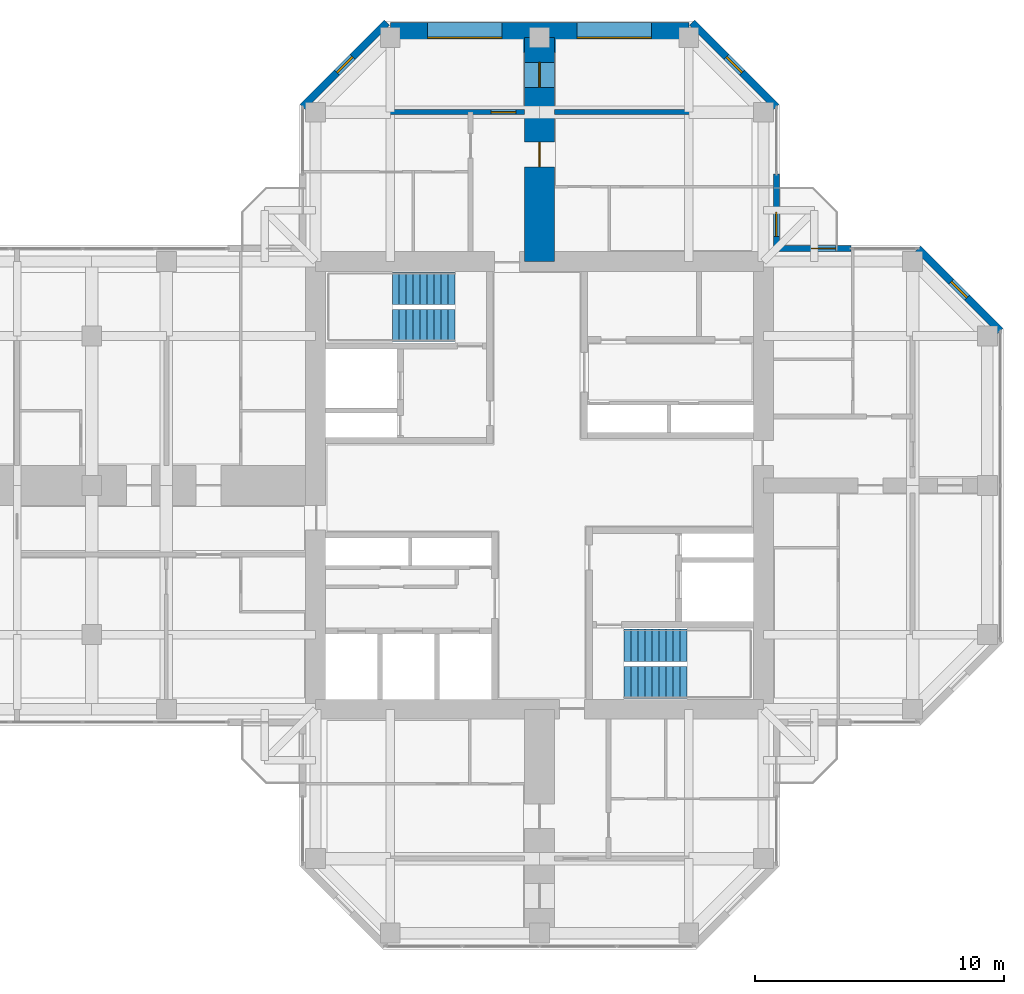
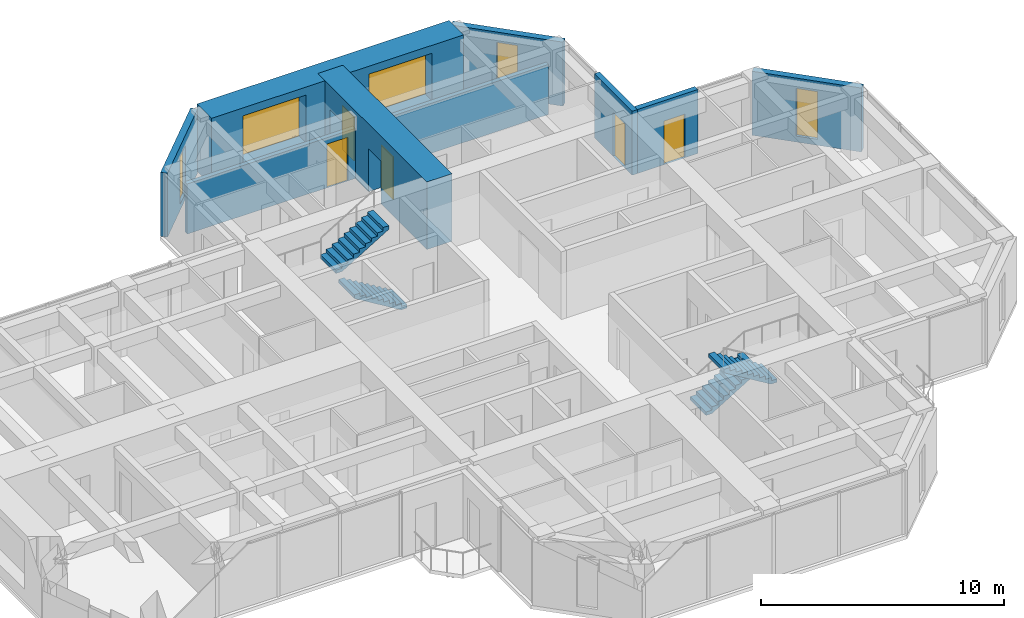
# One storey, part 12 of 13: 9 walls, 5 doors, 5 windows, 4 stair flights, 10 openings, 2 elements without a shape of their own.
"""IFC4 building model written with IfcOpenShell, lengths in metres."""

from ifc_helpers import new_model, si_unit, direction, frame, frame_2d, origin, place, context, subcontext, project, spatial, polyline, rectangle, hollow_rectangle, outline, extrude, material, layer, layer_set, constituent, constituent_set, type_object, element, fill, aggregate, save


model = new_model("IFC4")

# Units and contexts
model_context = context("Model", 3, precision=1e-05, world=origin(), true_north=direction((0.0, 1.0)))
body_context = subcontext(model_context, "Body", "Model", "MODEL_VIEW")
ifc_project = project(units=[si_unit("LENGTHUNIT", "METRE"), si_unit("AREAUNIT", "SQUARE_METRE"), si_unit("VOLUMEUNIT", "CUBIC_METRE"), si_unit("PLANEANGLEUNIT", "RADIAN"), si_unit("MASSUNIT", "GRAM", prefix="KILO")], contexts=[model_context])

# Site, building, storey
site_placement = place(None, origin())
site = spatial("IfcSite", under=ifc_project, at=site_placement, CompositionType="ELEMENT")
building_placement = place(site_placement, origin())
building = spatial("IfcBuilding", under=site, at=building_placement, Name="Torre Cruceta", CompositionType="ELEMENT")
storey_placement = place(building_placement, frame((0.0, 0.0, 235.699951171875)))
storey = spatial("IfcBuildingStorey", under=building, at=storey_placement, Name="L60", CompositionType="ELEMENT", Elevation=235.699951171875)

# Wall, opening, window
ifc_material_1 = material(Name="Concrete G30 (fck 30 MPa)", Category="concrete")
ifc_layer_1 = layer(ifc_material_1, 0.300048828125)
ifc_layer_set_1 = layer_set([ifc_layer_1], Name="Concrete G30 (fck 30 MPa)")
wall_type_1 = type_object("IfcWallType", Name="EXPOSED CONCRETE FACADE WALL 300", PredefinedType="SOLIDWALL", material=ifc_layer_set_1)
wall_1_placement = place(storey_placement, frame((18.52001953125, 6.21533203125, 0.0), z_axis=(0.0, 0.0, 1.0), x_axis=(-0.707106781187, 0.707106781187, 0.0)))
wall_1 = element("IfcWall", 1, at=wall_1_placement, inside=storey, type_object=wall_type_1, Name="EW1 facade wall L60 E chamfer 03", PredefinedType="SOLIDWALL", context=body_context, shape_type="SweptSolid", body=[
    extrude(rectangle(XDim=4.673583984375, YDim=0.300048828125, at=frame_2d((2.3369140625, 0.0))), origin(), (0.0, 0.0, 1.0), 3.219970703125),
])
opening_1_placement = place(wall_1_placement, frame((1.88671875, 0.0, 0.300048828125)))
opening_1 = element("IfcOpeningElement", 2, at=opening_1_placement, cuts=wall_1, Name="Opening WN5", PredefinedType="OPENING", context=body_context, shape_type="SweptSolid", body=[
    extrude(rectangle(XDim=0.89990234375, YDim=2.39990234375, at=frame_2d((0.449951171875, 1.199951171875))), frame((0.0, 0.159912109375, 0.0), z_axis=(0.0, -1.0, 0.0), x_axis=(1.0, 0.0, 0.0)), (0.0, 0.0, 1.0), 0.320068359375),
])
ifc_material_2 = material(Name="Aluminium window frame", Category="aluminium")
ifc_constituent_1 = constituent(ifc_material_2, Name="Frame")
ifc_material_3 = material(Name="Laminated insulating glass unit, low-iron clear", Category="glass")
ifc_constituent_2 = constituent(ifc_material_3, Name="Glazing")
ifc_constituent_set_1 = constituent_set(constituents=[ifc_constituent_1, ifc_constituent_2], Name="Aluminium window")
window_type_1 = type_object("IfcWindowType", Name="CHAMFER SLOT WINDOW 900X2400", PartitioningType="SINGLE_PANEL", PredefinedType="WINDOW", material=ifc_constituent_set_1)
window_1_placement = place(opening_1_placement, origin())
window_1 = element("IfcWindow", 3, at=window_1_placement, inside=storey, type_object=window_type_1, Name="WN5 L60 E 1", OverallHeight=2.39990234375, OverallWidth=0.89990234375, PartitioningType="SINGLE_PANEL", PredefinedType="WINDOW", context=body_context, shape_type="SweptSolid", body=[
    extrude(hollow_rectangle(XDim=0.89990234375, YDim=2.39990234375, WallThickness=0.06005859375, at=frame_2d((0.449951171875, 1.199951171875))), frame((0.0, 0.030029296875, 0.0), z_axis=(0.0, -1.0, 0.0), x_axis=(1.0, 0.0, 0.0)), (0.0, 0.0, 1.0), 0.06005859375),
    extrude(rectangle(XDim=0.77880859375, YDim=2.27880859375, at=frame_2d((0.449951171875, 1.199951171875))), frame((0.0, 0.030029296875, 0.0), z_axis=(0.0, -1.0, 0.0), x_axis=(1.0, 0.0, 0.0)), (0.0, 0.0, 1.0), 0.06005859375),
])
fill(opening_1, window_1)

wall_2_placement = place(storey_placement, frame((9.52001953125, 15.21533203125, 0.0), z_axis=(0.0, 0.0, 1.0), x_axis=(-0.707081278264, 0.707132283189, 0.0)))
wall_2 = element("IfcWall", 4, at=wall_2_placement, inside=storey, type_object=wall_type_1, Name="EW1 facade wall L60 N chamfer 06", PredefinedType="SOLIDWALL", context=body_context, shape_type="SweptSolid", body=[
    extrude(rectangle(XDim=4.78662109375, YDim=0.300048828125, at=frame_2d((2.393310546875, 0.0))), origin(), (0.0, 0.0, 1.0), 3.219970703125),
])
opening_2_placement = place(wall_2_placement, frame((1.943359375, 0.0, 0.300048828125)))
opening_2 = element("IfcOpeningElement", 5, at=opening_2_placement, cuts=wall_2, Name="Opening WN5", PredefinedType="OPENING", context=body_context, shape_type="SweptSolid", body=[
    extrude(rectangle(XDim=0.89990234375, YDim=2.39990234375, at=frame_2d((0.449951171875, 1.199951171875))), frame((0.0, 0.159912109375, 0.0), z_axis=(0.0, -1.0, 0.0), x_axis=(1.0, 0.0, 0.0)), (0.0, 0.0, 1.0), 0.320068359375),
])
window_2_placement = place(opening_2_placement, origin())
window_2 = element("IfcWindow", 6, at=window_2_placement, inside=storey, type_object=window_type_1, Name="WN5 L60 N 1", OverallHeight=2.39990234375, OverallWidth=0.89990234375, PartitioningType="SINGLE_PANEL", PredefinedType="WINDOW", context=body_context, shape_type="SweptSolid", body=[
    extrude(hollow_rectangle(XDim=0.89990234375, YDim=2.39990234375, WallThickness=0.06005859375, at=frame_2d((0.449951171875, 1.199951171875))), frame((0.0, 0.030029296875, 0.0), z_axis=(0.0, -1.0, 0.0), x_axis=(1.0, 0.0, 0.0)), (0.0, 0.0, 1.0), 0.06005859375),
    extrude(rectangle(XDim=0.77880859375, YDim=2.27880859375, at=frame_2d((0.449951171875, 1.199951171875))), frame((0.0, 0.030029296875, 0.0), z_axis=(0.0, -1.0, 0.0), x_axis=(1.0, 0.0, 0.0)), (0.0, 0.0, 1.0), 0.06005859375),
])
fill(opening_2, window_2)

wall_3_placement = place(storey_placement, frame((-6.135498046875, 18.60009765625, 0.0), z_axis=(0.0, 0.0, 1.0), x_axis=(-0.707081278264, -0.707132283189, 0.0)))
wall_3 = element("IfcWall", 7, at=wall_3_placement, inside=storey, type_object=wall_type_1, Name="EW1 facade wall L60 N chamfer 08", PredefinedType="SOLIDWALL", context=body_context, shape_type="SweptSolid", body=[
    extrude(rectangle(XDim=4.78662109375, YDim=0.300048828125, at=frame_2d((2.393310546875, 0.0))), origin(), (0.0, 0.0, 1.0), 3.219970703125),
])
opening_3_placement = place(wall_3_placement, frame((1.943359375, 0.0, 0.300048828125)))
opening_3 = element("IfcOpeningElement", 8, at=opening_3_placement, cuts=wall_3, Name="Opening WN5", PredefinedType="OPENING", context=body_context, shape_type="SweptSolid", body=[
    extrude(rectangle(XDim=0.89990234375, YDim=2.39990234375, at=frame_2d((0.449951171875, 1.199951171875))), frame((0.0, 0.159912109375, 0.0), z_axis=(0.0, -1.0, 0.0), x_axis=(1.0, 0.0, 0.0)), (0.0, 0.0, 1.0), 0.320068359375),
])
window_3_placement = place(opening_3_placement, origin())
window_3 = element("IfcWindow", 9, at=window_3_placement, inside=storey, type_object=window_type_1, Name="WN5 L60 N 1", OverallHeight=2.39990234375, OverallWidth=0.89990234375, PartitioningType="SINGLE_PANEL", PredefinedType="WINDOW", context=body_context, shape_type="SweptSolid", body=[
    extrude(hollow_rectangle(XDim=0.89990234375, YDim=2.39990234375, WallThickness=0.06005859375, at=frame_2d((0.449951171875, 1.199951171875))), frame((0.0, 0.030029296875, 0.0), z_axis=(0.0, -1.0, 0.0), x_axis=(1.0, 0.0, 0.0)), (0.0, 0.0, 1.0), 0.06005859375),
    extrude(rectangle(XDim=0.77880859375, YDim=2.27880859375, at=frame_2d((0.449951171875, 1.199951171875))), frame((0.0, 0.030029296875, 0.0), z_axis=(0.0, -1.0, 0.0), x_axis=(1.0, 0.0, 0.0)), (0.0, 0.0, 1.0), 0.06005859375),
])
fill(opening_3, window_3)

# Wall, openings, windows
ifc_material_4 = material(Name="Concrete G60 (fck 60 MPa)", Category="concrete")
ifc_layer_2 = layer(ifc_material_4, 1.199951171875)
ifc_layer_set_2 = layer_set([ifc_layer_2], Name="Concrete G60 (fck 60 MPa)")
wall_type_2 = type_object("IfcWallType", Name="NOSE WALL 1200 G60", PredefinedType="SHEAR", material=ifc_layer_set_2)
wall_4_placement = place(storey_placement, frame((6.0, 18.0, 0.0), z_axis=(0.0, 0.0, 1.0), x_axis=(-1.0, 0.0, 0.0)))
wall_4 = element("IfcWall", 10, at=wall_4_placement, inside=storey, type_object=wall_type_2, Name="NW1 nose wall L60 N", PredefinedType="SHEAR", context=body_context, shape_type="SweptSolid", body=[
    extrude(rectangle(XDim=12.0, YDim=1.199951171875, at=frame_2d((6.0, 0.0))), origin(), (0.0, 0.0, 1.0), 3.400146484375),
])
opening_4_placement = place(wall_4_placement, frame((1.5, 0.0, 0.60009765625)))
opening_4 = element("IfcOpeningElement", 11, at=opening_4_placement, cuts=wall_4, Name="Opening WN6", PredefinedType="OPENING", context=body_context, shape_type="SweptSolid", body=[
    extrude(rectangle(XDim=3.0, YDim=2.39990234375, at=frame_2d((1.5, 1.199951171875))), frame((0.0, 0.60986328125, 0.0), z_axis=(0.0, -1.0, 0.0), x_axis=(1.0, 0.0, 0.0)), (0.0, 0.0, 1.0), 1.219970703125),
])
opening_5_placement = place(wall_4_placement, frame((7.5, 0.0, 0.60009765625)))
opening_5 = element("IfcOpeningElement", 12, at=opening_5_placement, cuts=wall_4, Name="Opening WN6", PredefinedType="OPENING", context=body_context, shape_type="SweptSolid", body=[
    extrude(rectangle(XDim=3.0, YDim=2.39990234375, at=frame_2d((1.5, 1.199951171875))), frame((0.0, 0.60986328125, 0.0), z_axis=(0.0, -1.0, 0.0), x_axis=(1.0, 0.0, 0.0)), (0.0, 0.0, 1.0), 1.219970703125),
])
ifc_material_5 = material(Name="Aluminium window frame", Category="aluminium")
ifc_constituent_3 = constituent(ifc_material_5, Name="Frame")
ifc_material_6 = material(Name="Laminated insulating glass unit, low-iron clear", Category="glass")
ifc_constituent_4 = constituent(ifc_material_6, Name="Glazing")
ifc_constituent_set_2 = constituent_set(constituents=[ifc_constituent_3, ifc_constituent_4], Name="Aluminium window")
window_type_2 = type_object("IfcWindowType", Name="NOSE WALL WINDOW 3000X2400", PartitioningType="SINGLE_PANEL", PredefinedType="WINDOW", material=ifc_constituent_set_2)
window_4_placement = place(opening_4_placement, origin())
window_4 = element("IfcWindow", 13, at=window_4_placement, inside=storey, type_object=window_type_2, Name="WN6 L60 N 1", OverallHeight=2.39990234375, OverallWidth=3.0, PartitioningType="SINGLE_PANEL", PredefinedType="WINDOW", context=body_context, shape_type="SweptSolid", body=[
    extrude(hollow_rectangle(XDim=3.0, YDim=2.39990234375, WallThickness=0.06005859375, at=frame_2d((1.5, 1.199951171875))), frame((0.0, 0.030029296875, 0.0), z_axis=(0.0, -1.0, 0.0), x_axis=(1.0, 0.0, 0.0)), (0.0, 0.0, 1.0), 0.06005859375),
    extrude(rectangle(XDim=2.87890625, YDim=2.27880859375, at=frame_2d((1.5, 1.199951171875))), frame((0.0, 0.030029296875, 0.0), z_axis=(0.0, -1.0, 0.0), x_axis=(1.0, 0.0, 0.0)), (0.0, 0.0, 1.0), 0.06005859375),
])
fill(opening_4, window_4)
window_5_placement = place(opening_5_placement, origin())
window_5 = element("IfcWindow", 14, at=window_5_placement, inside=storey, type_object=window_type_2, Name="WN6 L60 N 2", OverallHeight=2.39990234375, OverallWidth=3.0, PartitioningType="SINGLE_PANEL", PredefinedType="WINDOW", context=body_context, shape_type="SweptSolid", body=[
    extrude(hollow_rectangle(XDim=3.0, YDim=2.39990234375, WallThickness=0.06005859375, at=frame_2d((1.5, 1.199951171875))), frame((0.0, 0.030029296875, 0.0), z_axis=(0.0, -1.0, 0.0), x_axis=(1.0, 0.0, 0.0)), (0.0, 0.0, 1.0), 0.06005859375),
    extrude(rectangle(XDim=2.87890625, YDim=2.27880859375, at=frame_2d((1.5, 1.199951171875))), frame((0.0, 0.030029296875, 0.0), z_axis=(0.0, -1.0, 0.0), x_axis=(1.0, 0.0, 0.0)), (0.0, 0.0, 1.0), 0.06005859375),
])
fill(opening_5, window_5)

# Wall, openings, doors
ifc_material_7 = material(Name="Concrete G60 (fck 60 MPa)", Category="concrete")
ifc_layer_3 = layer(ifc_material_7, 1.199951171875)
ifc_layer_set_3 = layer_set([ifc_layer_3], Name="Concrete G60 (fck 60 MPa)")
wall_type_3 = type_object("IfcWallType", Name="SPINE WALL 1200 G60", PredefinedType="SHEAR", material=ifc_layer_set_3)
wall_5_placement = place(storey_placement, frame((0.0, 9.0, 0.0), z_axis=(0.0, 0.0, 1.0), x_axis=(0.0, 1.0, 0.0)))
wall_5 = element("IfcWall", 15, at=wall_5_placement, inside=storey, type_object=wall_type_3, Name="SW3 spine wall L60 N", PredefinedType="SHEAR", context=body_context, shape_type="SweptSolid", body=[
    extrude(rectangle(XDim=9.0, YDim=1.199951171875, at=frame_2d((4.5, 0.0))), origin(), (0.0, 0.0, 1.0), 3.400146484375),
])
opening_6_placement = place(wall_5_placement, frame((3.800048828125, 0.0, 0.0)))
opening_6 = element("IfcOpeningElement", 16, at=opening_6_placement, cuts=wall_5, Name="Opening D6", PredefinedType="OPENING", context=body_context, shape_type="SweptSolid", body=[
    extrude(rectangle(XDim=1.0, YDim=2.14990234375, at=frame_2d((0.5, 1.074951171875))), frame((0.0, 0.60986328125, 0.0), z_axis=(0.0, -1.0, 0.0), x_axis=(1.0, 0.0, 0.0)), (0.0, 0.0, 1.0), 1.219970703125),
])
opening_7_placement = place(wall_5_placement, frame((7.0, 0.0, 0.0)))
opening_7 = element("IfcOpeningElement", 17, at=opening_7_placement, cuts=wall_5, Name="Opening D14", PredefinedType="OPENING", context=body_context, shape_type="SweptSolid", body=[
    extrude(rectangle(XDim=1.0, YDim=2.199951171875, at=frame_2d((0.5, 1.10009765625))), frame((0.0, 0.60986328125, 0.0), z_axis=(0.0, -1.0, 0.0), x_axis=(1.0, 0.0, 0.0)), (0.0, 0.0, 1.0), 1.219970703125),
])
ifc_material_8 = material(Name="Steel DX51D", Category="steel")
ifc_constituent_5 = constituent(ifc_material_8, Name="Leaf and frame")
ifc_material_9 = material(Name="Polyester powder coating", Category="paint")
ifc_constituent_6 = constituent(ifc_material_9, Name="Finish")
ifc_material_10 = material(Name="Fire-resisting glass", Category="glass")
ifc_constituent_7 = constituent(ifc_material_10, Name="Vision panel")
ifc_constituent_set_3 = constituent_set(constituents=[ifc_constituent_5, ifc_constituent_6, ifc_constituent_7], Name="Steel fire door with vision panel")
door_type_1 = type_object("IfcDoorType", Name="FIRE DOOR VISION PANEL 1000X2200", OperationType="SINGLE_SWING_RIGHT", PredefinedType="DOOR", material=ifc_constituent_set_3)
door_1_placement = place(opening_7_placement, origin())
door_1 = element("IfcDoor", 18, at=door_1_placement, inside=storey, type_object=door_type_1, Name="D14 L60-N-SP2", OperationType="SINGLE_SWING_RIGHT", OverallHeight=2.199951171875, OverallWidth=1.0, PredefinedType="DOOR", context=body_context, shape_type="SweptSolid", body=[
    extrude(rectangle(XDim=1.0, YDim=2.199951171875, at=frame_2d((0.5, 1.10009765625))), frame((0.0, 0.02490234375, 0.0), z_axis=(0.0, -1.0, 0.0), x_axis=(1.0, 0.0, 0.0)), (0.0, 0.0, 1.0), 0.050048828125),
])
fill(opening_7, door_1)
ifc_material_11 = material(Name="Timber fire door", Category="wood")
door_type_2 = type_object("IfcDoorType", Name="UNIT ENTRANCE DOOR 1000X2150", OperationType="SINGLE_SWING_LEFT", PredefinedType="DOOR", material=ifc_material_11)
door_2_placement = place(opening_6_placement, frame((1.0, 0.0, 0.0), z_axis=(0.0, 0.0, 1.0), x_axis=(-1.0, 0.0, 0.0)))
door_2 = element("IfcDoor", 19, at=door_2_placement, inside=storey, type_object=door_type_2, Name="D6 L60-N-SP1", OperationType="SINGLE_SWING_RIGHT", OverallHeight=2.14990234375, OverallWidth=1.0, PredefinedType="DOOR", context=body_context, shape_type="SweptSolid", body=[
    extrude(rectangle(XDim=1.0, YDim=2.14990234375, at=frame_2d((0.5, 1.074951171875))), frame((0.0, 0.025146484375, 0.0), z_axis=(0.0, -1.0, 0.0), x_axis=(1.0, 0.0, 0.0)), (0.0, 0.0, 1.0), 0.050048828125),
])
fill(opening_6, door_2)

# Wall
ifc_material_12 = material(Name="Concrete G25 (fck 25 MPa)", Category="concrete")
ifc_layer_4 = layer(ifc_material_12, 0.199951171875)
ifc_layer_set_4 = layer_set([ifc_layer_4], Name="Concrete G25 (fck 25 MPa)")
wall_type_4 = type_object("IfcWallType", Name="UNIT SEPARATING WALL 200", PredefinedType="SOLIDWALL", material=ifc_layer_set_4)
wall_6_placement = place(storey_placement, frame((8.60009765625, 15.0, 0.0), z_axis=(0.0, 0.0, 1.0), x_axis=(-1.0, 0.0, 0.0)))
element("IfcWall", 20, at=wall_6_placement, inside=storey, type_object=wall_type_4, Name="PT2 L60-N-ENDa", PredefinedType="SOLIDWALL", context=body_context, shape_type="SweptSolid", body=[
    extrude(rectangle(XDim=8.0, YDim=0.199951171875, at=frame_2d((4.0, 0.0))), origin(), (0.0, 0.0, 1.0), 2.52001953125),
])

# Wall, opening, door
wall_7_placement = place(storey_placement, frame((-0.60009765625, 15.0, 0.0), z_axis=(0.0, 0.0, 1.0), x_axis=(-1.0, 0.0, 0.0)))
wall_7 = element("IfcWall", 21, at=wall_7_placement, inside=storey, type_object=wall_type_4, Name="PT2 L60-N-ENDb", PredefinedType="SOLIDWALL", context=body_context, shape_type="SweptSolid", body=[
    extrude(rectangle(XDim=8.0, YDim=0.199951171875, at=frame_2d((4.0, 0.0))), origin(), (0.0, 0.0, 1.0), 2.52001953125),
])
opening_8_placement = place(wall_7_placement, frame((0.35009765625, 0.0, 0.0)))
opening_8 = element("IfcOpeningElement", 22, at=opening_8_placement, cuts=wall_7, Name="Opening D14", PredefinedType="OPENING", context=body_context, shape_type="SweptSolid", body=[
    extrude(rectangle(XDim=1.0, YDim=2.199951171875, at=frame_2d((0.5, 1.10009765625))), frame((0.0, 0.10986328125, 0.0), z_axis=(0.0, -1.0, 0.0), x_axis=(1.0, 0.0, 0.0)), (0.0, 0.0, 1.0), 0.219970703125),
])
door_3_placement = place(opening_8_placement, frame((1.0, 0.0, 0.0), z_axis=(0.0, 0.0, 1.0), x_axis=(-1.0, 0.0, 0.0)))
door_3 = element("IfcDoor", 23, at=door_3_placement, inside=storey, type_object=door_type_1, Name="D14 L60-N-ENDb-D1", OperationType="SINGLE_SWING_RIGHT", OverallHeight=2.199951171875, OverallWidth=1.0, PredefinedType="DOOR", context=body_context, shape_type="SweptSolid", body=[
    extrude(rectangle(XDim=1.0, YDim=2.199951171875, at=frame_2d((0.5, 1.10009765625))), frame((0.0, 0.025146484375, 0.0), z_axis=(0.0, -1.0, 0.0), x_axis=(1.0, 0.0, 0.0)), (0.0, 0.0, 1.0), 0.050048828125),
])
fill(opening_8, door_3)

ifc_material_13 = material(Name="Concrete G30 (fck 30 MPa)", Category="concrete")
ifc_layer_5 = layer(ifc_material_13, 0.25)
ifc_layer_set_5 = layer_set([ifc_layer_5], Name="Concrete G30 (fck 30 MPa)")
wall_type_5 = type_object("IfcWallType", Name="WINTER GARDEN WALL 250", PredefinedType="SOLIDWALL", material=ifc_layer_set_5)
wall_8_placement = place(storey_placement, frame((12.52001953125, 9.52001953125, 0.0), z_axis=(0.0, 0.0, 1.0), x_axis=(-1.0, 0.0, 0.0)))
wall_8 = element("IfcWall", 24, at=wall_8_placement, inside=storey, type_object=wall_type_5, Name="EW2 winter garden wall L60 04", PredefinedType="SOLIDWALL", context=body_context, shape_type="SweptSolid", body=[
    extrude(rectangle(XDim=2.875, YDim=0.25, at=frame_2d((1.4375, 0.0))), origin(), (0.0, 0.0, 1.0), 3.219970703125),
])
opening_9_placement = place(wall_8_placement, frame((0.60009765625, 0.0, 0.0)))
opening_9 = element("IfcOpeningElement", 25, at=opening_9_placement, cuts=wall_8, Name="Opening D10", PredefinedType="OPENING", context=body_context, shape_type="SweptSolid", body=[
    extrude(rectangle(XDim=1.0, YDim=2.199951171875, at=frame_2d((0.5, 1.10009765625))), frame((0.0, 0.135009765625, 0.0), z_axis=(0.0, -1.0, 0.0), x_axis=(1.0, 0.0, 0.0)), (0.0, 0.0, 1.0), 0.27001953125),
])
ifc_material_14 = material(Name="Aluminium door frame", Category="aluminium")
ifc_constituent_8 = constituent(ifc_material_14, Name="Frame")
ifc_material_15 = material(Name="Laminated safety glass", Category="glass")
ifc_constituent_9 = constituent(ifc_material_15, Name="Glazing")
ifc_constituent_set_4 = constituent_set(constituents=[ifc_constituent_8, ifc_constituent_9], Name="Aluminium glazed door")
door_type_3 = type_object("IfcDoorType", Name="BALCONY DOOR 1000X2200", OperationType="SINGLE_SWING_RIGHT", PredefinedType="DOOR", material=ifc_constituent_set_4)
door_4_placement = place(opening_9_placement, origin())
door_4 = element("IfcDoor", 26, at=door_4_placement, inside=storey, type_object=door_type_3, Name="D10 balcony door L60 04", OperationType="SINGLE_SWING_LEFT", OverallHeight=2.199951171875, OverallWidth=1.0, PredefinedType="DOOR", context=body_context, shape_type="SweptSolid", body=[
    extrude(hollow_rectangle(XDim=1.0, YDim=2.199951171875, WallThickness=0.06005859375, at=frame_2d((0.5, 1.10009765625))), frame((0.0, 0.02490234375, 0.0), z_axis=(0.0, -1.0, 0.0), x_axis=(1.0, 0.0, 0.0)), (0.0, 0.0, 1.0), 0.050048828125),
    extrude(rectangle(XDim=0.87890625, YDim=2.078857421875, at=frame_2d((0.5, 1.10009765625))), frame((0.0, 0.02490234375, 0.0), z_axis=(0.0, -1.0, 0.0), x_axis=(1.0, 0.0, 0.0)), (0.0, 0.0, 1.0), 0.050048828125),
])
fill(opening_9, door_4)

wall_9_placement = place(storey_placement, frame((9.52001953125, 9.39501953125, 0.0), z_axis=(0.0, 0.0, 1.0), x_axis=(0.0, 1.0, 0.0)))
wall_9 = element("IfcWall", 27, at=wall_9_placement, inside=storey, type_object=wall_type_5, Name="EW2 winter garden wall L60 05", PredefinedType="SOLIDWALL", context=body_context, shape_type="SweptSolid", body=[
    extrude(rectangle(XDim=3.125, YDim=0.25, at=frame_2d((1.5625, 0.0))), origin(), (0.0, 0.0, 1.0), 3.219970703125),
])
opening_10_placement = place(wall_9_placement, frame((0.60009765625, 0.0, 0.0)))
opening_10 = element("IfcOpeningElement", 28, at=opening_10_placement, cuts=wall_9, Name="Opening D10", PredefinedType="OPENING", context=body_context, shape_type="SweptSolid", body=[
    extrude(rectangle(XDim=1.0, YDim=2.199951171875, at=frame_2d((0.5, 1.10009765625))), frame((0.0, 0.135009765625, 0.0), z_axis=(0.0, -1.0, 0.0), x_axis=(1.0, 0.0, 0.0)), (0.0, 0.0, 1.0), 0.27001953125),
])
door_5_placement = place(opening_10_placement, origin())
door_5 = element("IfcDoor", 29, at=door_5_placement, inside=storey, type_object=door_type_3, Name="D10 balcony door L60 05", OperationType="SINGLE_SWING_RIGHT", OverallHeight=2.199951171875, OverallWidth=1.0, PredefinedType="DOOR", context=body_context, shape_type="SweptSolid", body=[
    extrude(hollow_rectangle(XDim=1.0, YDim=2.199951171875, WallThickness=0.06005859375, at=frame_2d((0.5, 1.10009765625))), frame((0.0, 0.02490234375, 0.0), z_axis=(0.0, -1.0, 0.0), x_axis=(1.0, 0.0, 0.0)), (0.0, 0.0, 1.0), 0.050048828125),
    extrude(rectangle(XDim=0.87890625, YDim=2.078857421875, at=frame_2d((0.5, 1.10009765625))), frame((0.0, 0.02490234375, 0.0), z_axis=(0.0, -1.0, 0.0), x_axis=(1.0, 0.0, 0.0)), (0.0, 0.0, 1.0), 0.050048828125),
])
fill(opening_10, door_5)

# Stair, stair flights
ifc_material_16 = material(Name="Concrete G30 (fck 30 MPa)", Category="concrete")
stair_type = type_object("IfcStairType", Name="STAIR HALF-TURN 1300", PredefinedType="HALF_TURN_STAIR", material=ifc_material_16)
stair_1_placement = place(storey_placement, origin())
stair_1 = element("IfcStair", 30, at=stair_1_placement, inside=storey, type_object=stair_type, Name="Stair ST1 L60", PredefinedType="HALF_TURN_STAIR")
ifc_material_17 = material(Name="Concrete G30 (fck 30 MPa)", Category="concrete")
stair_flight_type = type_object("IfcStairFlightType", Name="STAIR FLIGHT 1300", PredefinedType="STRAIGHT", material=ifc_material_17)
stair_flight_1_placement = place(storey_placement, frame((-3.39990234375, 6.425048828125, 0.0), z_axis=(0.0, 0.0, 1.0), x_axis=(-1.0, 0.0, 0.0)))
stair_flight_1 = element("IfcStairFlight", 31, at=stair_flight_1_placement, type_object=stair_flight_type, Name="ST1 flight 1", NumberOfRisers=10, NumberOfTreads=9, PredefinedType="STRAIGHT", RiserHeight=0.17, TreadLength=0.28, context=body_context, shape_type="SweptSolid", body=[
    extrude(outline(polyline([(0.0, 0.0), (0.0, 0.169921875), (0.280029296875, 0.169921875), (0.280029296875, 0.340087890625), (0.56005859375, 0.340087890625), (0.56005859375, 0.510009765625), (0.840087890625, 0.510009765625), (0.840087890625, 0.679931640625), (1.1201171875, 0.679931640625), (1.1201171875, 0.85009765625), (1.39990234375, 0.85009765625), (1.39990234375, 1.02001953125), (1.679931640625, 1.02001953125), (1.679931640625, 1.18994140625), (1.9599609375, 1.18994140625), (1.9599609375, 1.360107421875), (2.239990234375, 1.360107421875), (2.239990234375, 1.530029296875), (2.52001953125, 1.530029296875), (2.52001953125, 1.699951171875), (2.52001953125, 1.354736328125), (0.288818359375, 0.0), (0.0, 0.0)])), frame((0.0, 0.64990234375, 0.0), z_axis=(0.0, -1.0, 0.0), x_axis=(1.0, 0.0, 0.0)), (0.0, 0.0, 1.0), 1.300048828125),
])
stair_flight_2_placement = place(storey_placement, frame((-5.919921875, 7.925048828125, 1.699951171875), z_axis=(0.0, 0.0, 1.0), x_axis=(1.0, 0.0, 0.0)))
stair_flight_2 = element("IfcStairFlight", 32, at=stair_flight_2_placement, type_object=stair_flight_type, Name="ST1 flight 2", NumberOfRisers=10, NumberOfTreads=9, PredefinedType="STRAIGHT", RiserHeight=0.17, TreadLength=0.28, context=body_context, shape_type="SweptSolid", body=[
    extrude(outline(polyline([(0.0, 0.0), (0.0, 0.169921875), (0.280029296875, 0.169921875), (0.280029296875, 0.340087890625), (0.56005859375, 0.340087890625), (0.56005859375, 0.510009765625), (0.840087890625, 0.510009765625), (0.840087890625, 0.679931640625), (1.1201171875, 0.679931640625), (1.1201171875, 0.85009765625), (1.39990234375, 0.85009765625), (1.39990234375, 1.02001953125), (1.679931640625, 1.02001953125), (1.679931640625, 1.18994140625), (1.9599609375, 1.18994140625), (1.9599609375, 1.360107421875), (2.239990234375, 1.360107421875), (2.239990234375, 1.530029296875), (2.52001953125, 1.530029296875), (2.52001953125, 1.699951171875), (2.52001953125, 1.354736328125), (0.288818359375, 0.0), (0.0, 0.0)])), frame((0.0, 0.64990234375, 0.0), z_axis=(0.0, -1.0, 0.0), x_axis=(1.0, 0.0, 0.0)), (0.0, 0.0, 1.0), 1.300048828125),
])
aggregate(stair_1, [stair_flight_1, stair_flight_2])

stair_2_placement = place(storey_placement, origin())
stair_2 = element("IfcStair", 33, at=stair_2_placement, inside=storey, type_object=stair_type, Name="Stair ST2 L60", PredefinedType="HALF_TURN_STAIR")
stair_flight_3_placement = place(storey_placement, frame((3.39990234375, -6.425048828125, 0.0), z_axis=(0.0, 0.0, 1.0), x_axis=(1.0, 0.0, 0.0)))
stair_flight_3 = element("IfcStairFlight", 34, at=stair_flight_3_placement, type_object=stair_flight_type, Name="ST2 flight 1", NumberOfRisers=10, NumberOfTreads=9, PredefinedType="STRAIGHT", RiserHeight=0.17, TreadLength=0.28, context=body_context, shape_type="SweptSolid", body=[
    extrude(outline(polyline([(0.0, 0.0), (0.0, 0.169921875), (0.280029296875, 0.169921875), (0.280029296875, 0.340087890625), (0.56005859375, 0.340087890625), (0.56005859375, 0.510009765625), (0.840087890625, 0.510009765625), (0.840087890625, 0.679931640625), (1.1201171875, 0.679931640625), (1.1201171875, 0.85009765625), (1.39990234375, 0.85009765625), (1.39990234375, 1.02001953125), (1.679931640625, 1.02001953125), (1.679931640625, 1.18994140625), (1.9599609375, 1.18994140625), (1.9599609375, 1.360107421875), (2.239990234375, 1.360107421875), (2.239990234375, 1.530029296875), (2.52001953125, 1.530029296875), (2.52001953125, 1.699951171875), (2.52001953125, 1.354736328125), (0.288818359375, 0.0), (0.0, 0.0)])), frame((0.0, 0.64990234375, 0.0), z_axis=(0.0, -1.0, 0.0), x_axis=(1.0, 0.0, 0.0)), (0.0, 0.0, 1.0), 1.300048828125),
])
stair_flight_4_placement = place(storey_placement, frame((5.919921875, -7.925048828125, 1.699951171875), z_axis=(0.0, 0.0, 1.0), x_axis=(-1.0, 0.0, 0.0)))
stair_flight_4 = element("IfcStairFlight", 35, at=stair_flight_4_placement, type_object=stair_flight_type, Name="ST2 flight 2", NumberOfRisers=10, NumberOfTreads=9, PredefinedType="STRAIGHT", RiserHeight=0.17, TreadLength=0.28, context=body_context, shape_type="SweptSolid", body=[
    extrude(outline(polyline([(0.0, 0.0), (0.0, 0.169921875), (0.280029296875, 0.169921875), (0.280029296875, 0.340087890625), (0.56005859375, 0.340087890625), (0.56005859375, 0.510009765625), (0.840087890625, 0.510009765625), (0.840087890625, 0.679931640625), (1.1201171875, 0.679931640625), (1.1201171875, 0.85009765625), (1.39990234375, 0.85009765625), (1.39990234375, 1.02001953125), (1.679931640625, 1.02001953125), (1.679931640625, 1.18994140625), (1.9599609375, 1.18994140625), (1.9599609375, 1.360107421875), (2.239990234375, 1.360107421875), (2.239990234375, 1.530029296875), (2.52001953125, 1.530029296875), (2.52001953125, 1.699951171875), (2.52001953125, 1.354736328125), (0.288818359375, 0.0), (0.0, 0.0)])), frame((0.0, 0.64990234375, 0.0), z_axis=(0.0, -1.0, 0.0), x_axis=(1.0, 0.0, 0.0)), (0.0, 0.0, 1.0), 1.300048828125),
])
aggregate(stair_2, [stair_flight_3, stair_flight_4])

save(model, "model.ifc")
